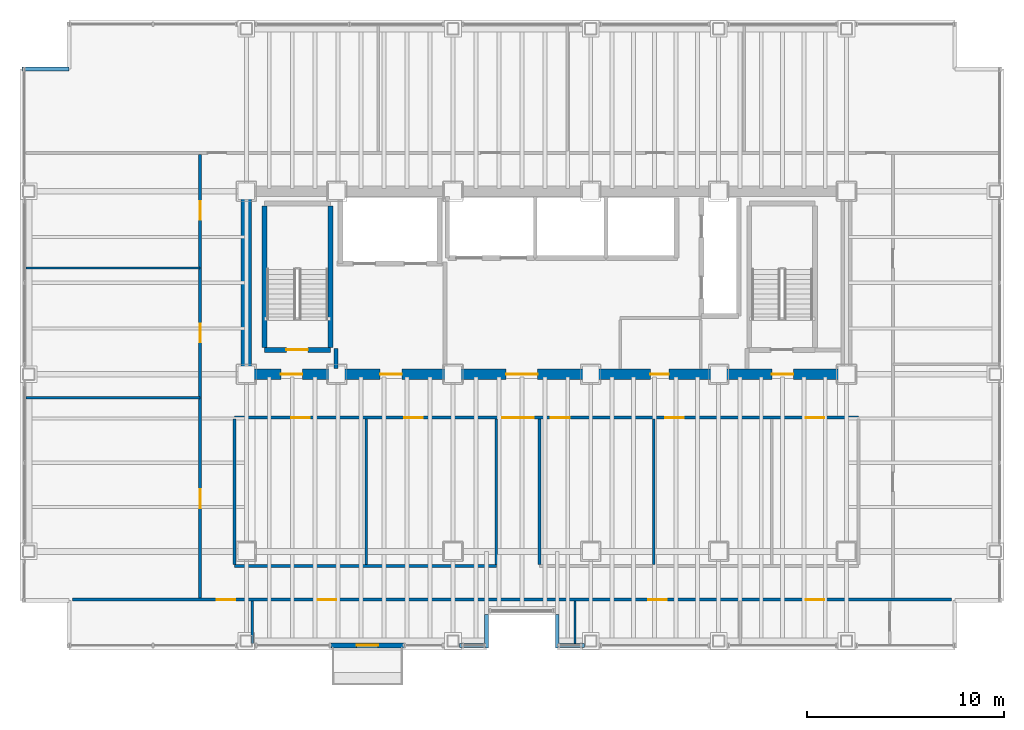
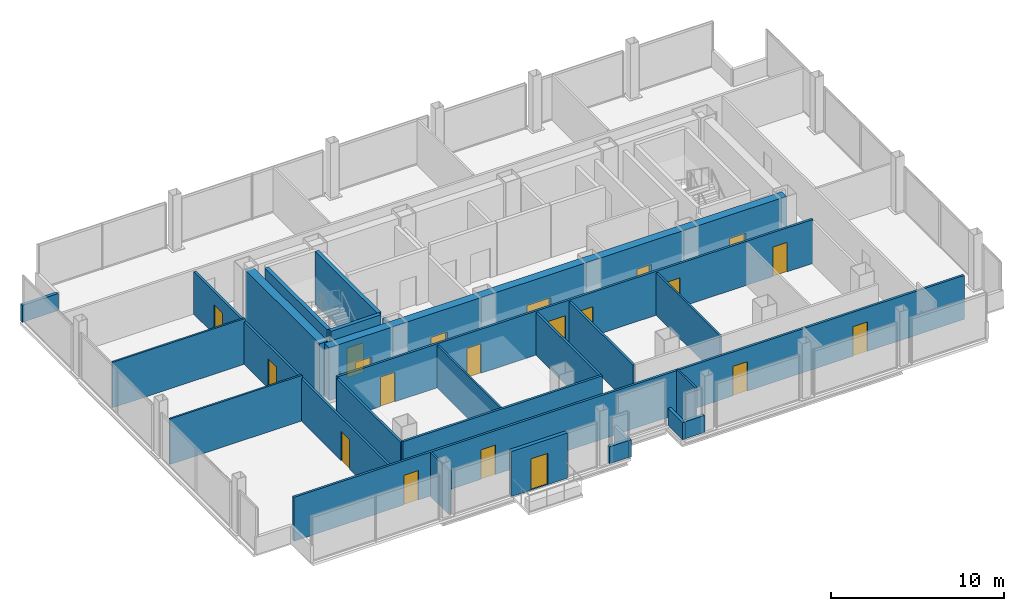
# One storey, part 18 of 21: 25 walls, 20 doors, 20 openings.
"""IFC4 building model written with IfcOpenShell, lengths in metres."""

from ifc_helpers import new_model, si_unit, direction, frame, frame_2d, origin, place, context, subcontext, project, spatial, rectangle, extrude, material, layer, layer_set, type_object, element, fill, save


model = new_model("IFC4")

# Units and contexts
model_context = context("Model", 3, precision=1e-05, world=origin(), true_north=direction((0.0, 1.0)))
body_context = subcontext(model_context, "Body", "Model", "MODEL_VIEW")
ifc_project = project(units=[si_unit("LENGTHUNIT", "METRE"), si_unit("AREAUNIT", "SQUARE_METRE"), si_unit("VOLUMEUNIT", "CUBIC_METRE"), si_unit("PLANEANGLEUNIT", "RADIAN"), si_unit("MASSUNIT", "GRAM", prefix="KILO")], contexts=[model_context])

# Site, building, storey
site_placement = place(None, origin())
site = spatial("IfcSite", under=ifc_project, at=site_placement, CompositionType="ELEMENT")
building_placement = place(site_placement, origin())
building = spatial("IfcBuilding", under=site, at=building_placement, Name="Noeulbin Bourse Tower", CompositionType="ELEMENT")
storey_placement = place(building_placement, frame((0.0, 0.0, 42.10009765625)))
storey = spatial("IfcBuildingStorey", under=building, at=storey_placement, Name="L10", CompositionType="ELEMENT", Elevation=42.10009765625)

# Wall, openings, doors
ifc_material_1 = material(Name="Concrete C60/75", Category="concrete")
ifc_layer_1 = layer(ifc_material_1, 0.550048828125)
ifc_layer_set_1 = layer_set([ifc_layer_1], Name="Concrete C60/75")
wall_type_1 = type_object("IfcWallType", Name="WAL-CORE-550", PredefinedType="SHEAR", material=ifc_layer_set_1)
wall_1_placement = place(storey_placement, frame((13.5, 29.0, 0.0), z_axis=(0.0, 0.0, 1.0), x_axis=(1.0, 0.0, 0.0)))
wall_1 = element("IfcWall", 1, at=wall_1_placement, inside=storey, type_object=wall_type_1, Name="Rear Core South Shear Wall L10", PredefinedType="SHEAR", context=body_context, shape_type="SweptSolid", body=[
    extrude(rectangle(XDim=30.5, YDim=0.550048828125, at=frame_2d((15.25, 0.0))), origin(), (0.0, 0.0, 1.0), 3.719970703125),
])
opening_1_placement = place(wall_1_placement, frame((1.75, 0.0, 0.0)))
opening_1 = element("IfcOpeningElement", 2, at=opening_1_placement, cuts=wall_1, Name="Opening FD-11", PredefinedType="OPENING", context=body_context, shape_type="SweptSolid", body=[
    extrude(rectangle(XDim=1.10009765625, YDim=2.080078125, at=frame_2d((0.550048828125, 1.0400390625))), frame((0.0, 0.284912109375, 0.0), z_axis=(0.0, -1.0, 0.0), x_axis=(1.0, 0.0, 0.0)), (0.0, 0.0, 1.0), 0.570068359375),
])
opening_2_placement = place(wall_1_placement, frame((26.699951171875, 0.0, 0.0)))
opening_2 = element("IfcOpeningElement", 3, at=opening_2_placement, cuts=wall_1, Name="Opening FD-11", PredefinedType="OPENING", context=body_context, shape_type="SweptSolid", body=[
    extrude(rectangle(XDim=1.10009765625, YDim=2.080078125, at=frame_2d((0.550048828125, 1.0400390625))), frame((0.0, 0.284912109375, 0.0), z_axis=(0.0, -1.0, 0.0), x_axis=(1.0, 0.0, 0.0)), (0.0, 0.0, 1.0), 0.570068359375),
])
opening_3_placement = place(wall_1_placement, frame((6.800048828125, 0.0, 0.0)))
opening_3 = element("IfcOpeningElement", 4, at=opening_3_placement, cuts=wall_1, Name="Opening FD-11", PredefinedType="OPENING", context=body_context, shape_type="SweptSolid", body=[
    extrude(rectangle(XDim=1.10009765625, YDim=2.080078125, at=frame_2d((0.550048828125, 1.0400390625))), frame((0.0, 0.284912109375, 0.0), z_axis=(0.0, -1.0, 0.0), x_axis=(1.0, 0.0, 0.0)), (0.0, 0.0, 1.0), 0.570068359375),
])
opening_4_placement = place(wall_1_placement, frame((13.199951171875, 0.0, 0.0)))
opening_4 = element("IfcOpeningElement", 5, at=opening_4_placement, cuts=wall_1, Name="Opening ID-16", PredefinedType="OPENING", context=body_context, shape_type="SweptSolid", body=[
    extrude(rectangle(XDim=1.60009765625, YDim=2.080078125, at=frame_2d((0.800048828125, 1.0400390625))), frame((0.0, 0.284912109375, 0.0), z_axis=(0.0, -1.0, 0.0), x_axis=(1.0, 0.0, 0.0)), (0.0, 0.0, 1.0), 0.570068359375),
])
opening_5_placement = place(wall_1_placement, frame((20.52490234375, 0.0, 0.0)))
opening_5 = element("IfcOpeningElement", 6, at=opening_5_placement, cuts=wall_1, Name="Opening ID-09", PredefinedType="OPENING", context=body_context, shape_type="SweptSolid", body=[
    extrude(rectangle(XDim=0.949951171875, YDim=2.080078125, at=frame_2d((0.47509765625, 1.0400390625))), frame((0.0, 0.284912109375, 0.0), z_axis=(0.0, -1.0, 0.0), x_axis=(1.0, 0.0, 0.0)), (0.0, 0.0, 1.0), 0.570068359375),
])
ifc_material_2 = material(Name="Acoustic Glazed Aluminium", Category="aluminium")
door_type_1 = type_object("IfcDoorType", Name="DR-DBL-1600", OperationType="DOUBLE_DOOR_SINGLE_SWING", PredefinedType="DOOR", material=ifc_material_2)
door_1_placement = place(opening_4_placement, origin())
door_1 = element("IfcDoor", 7, at=door_1_placement, inside=storey, type_object=door_type_1, Name="Passenger Lift Lobby Portal L10", OperationType="DOUBLE_DOOR_SINGLE_SWING", OverallHeight=2.080078125, OverallWidth=1.60009765625, PredefinedType="DOOR", context=body_context, shape_type="SweptSolid", body=[
    extrude(rectangle(XDim=1.60009765625, YDim=2.080078125, at=frame_2d((0.800048828125, 1.0400390625))), frame((0.0, 0.02490234375, 0.0), z_axis=(0.0, -1.0, 0.0), x_axis=(1.0, 0.0, 0.0)), (0.0, 0.0, 1.0), 0.050048828125),
])
fill(opening_4, door_1)
ifc_material_3 = material(Name="Fire-Rated Insulated Steel", Category="steel")
door_type_2 = type_object("IfcDoorType", Name="DR-FD60-1100", OperationType="SINGLE_SWING_LEFT", PredefinedType="DOOR", material=ifc_material_3)
door_2_placement = place(opening_1_placement, origin())
door_2 = element("IfcDoor", 8, at=door_2_placement, inside=storey, type_object=door_type_2, Name="West Stair Lobby Door L10", OperationType="SINGLE_SWING_LEFT", OverallHeight=2.080078125, OverallWidth=1.10009765625, PredefinedType="DOOR", context=body_context, shape_type="SweptSolid", body=[
    extrude(rectangle(XDim=1.10009765625, YDim=2.080078125, at=frame_2d((0.550048828125, 1.0400390625))), frame((0.0, 0.02490234375, 0.0), z_axis=(0.0, -1.0, 0.0), x_axis=(1.0, 0.0, 0.0)), (0.0, 0.0, 1.0), 0.050048828125),
])
fill(opening_1, door_2)
door_3_placement = place(opening_2_placement, origin())
door_3 = element("IfcDoor", 9, at=door_3_placement, inside=storey, type_object=door_type_2, Name="East Stair Lobby Door L10", OperationType="SINGLE_SWING_RIGHT", OverallHeight=2.080078125, OverallWidth=1.10009765625, PredefinedType="DOOR", context=body_context, shape_type="SweptSolid", body=[
    extrude(rectangle(XDim=1.10009765625, YDim=2.080078125, at=frame_2d((0.550048828125, 1.0400390625))), frame((0.0, 0.02490234375, 0.0), z_axis=(0.0, -1.0, 0.0), x_axis=(1.0, 0.0, 0.0)), (0.0, 0.0, 1.0), 0.050048828125),
])
fill(opening_2, door_3)
door_4_placement = place(opening_3_placement, origin())
door_4 = element("IfcDoor", 10, at=door_4_placement, inside=storey, type_object=door_type_2, Name="Firefighting Lobby Door L10", OperationType="SINGLE_SWING_LEFT", OverallHeight=2.080078125, OverallWidth=1.10009765625, PredefinedType="DOOR", context=body_context, shape_type="SweptSolid", body=[
    extrude(rectangle(XDim=1.10009765625, YDim=2.080078125, at=frame_2d((0.550048828125, 1.0400390625))), frame((0.0, 0.02490234375, 0.0), z_axis=(0.0, -1.0, 0.0), x_axis=(1.0, 0.0, 0.0)), (0.0, 0.0, 1.0), 0.050048828125),
])
fill(opening_3, door_4)
ifc_material_4 = material(Name="Acoustic Solid-Core Timber", Category="wood")
door_type_3 = type_object("IfcDoorType", Name="DR-SINGLE-950", OperationType="SINGLE_SWING_LEFT", PredefinedType="DOOR", material=ifc_material_4)
door_5_placement = place(opening_5_placement, origin())
door_5 = element("IfcDoor", 11, at=door_5_placement, inside=storey, type_object=door_type_3, Name="Interior Door L10-05", OperationType="SINGLE_SWING_LEFT", OverallHeight=2.080078125, OverallWidth=0.949951171875, PredefinedType="DOOR", context=body_context, shape_type="SweptSolid", body=[
    extrude(rectangle(XDim=0.949951171875, YDim=2.080078125, at=frame_2d((0.47509765625, 1.0400390625))), frame((0.0, 0.02490234375, 0.0), z_axis=(0.0, -1.0, 0.0), x_axis=(1.0, 0.0, 0.0)), (0.0, 0.0, 1.0), 0.050048828125),
])
fill(opening_5, door_5)

# Wall
wall_2_placement = place(storey_placement, frame((13.5, 29.35009765625, 0.0), z_axis=(0.0, 0.0, 1.0), x_axis=(0.0, 1.0, 0.0)))
element("IfcWall", 12, at=wall_2_placement, inside=storey, type_object=wall_type_1, Name="Rear Core West Shear Wall L10", PredefinedType="SHEAR", context=body_context, shape_type="SweptSolid", body=[
    extrude(rectangle(XDim=8.599853515625, YDim=0.550048828125, at=frame_2d((4.2998046875, 0.0))), origin(), (0.0, 0.0, 1.0), 3.719970703125),
])

# Wall, opening, door
ifc_material_5 = material(Name="Precast Concrete C40/50", Category="concrete")
ifc_layer_2 = layer(ifc_material_5, 0.25)
ifc_layer_set_2 = layer_set([ifc_layer_2], Name="Precast Concrete C40/50")
wall_type_2 = type_object("IfcWallType", Name="WAL-EXT-250", PredefinedType="STANDARD", material=ifc_layer_set_2)
wall_3_placement = place(storey_placement, frame((17.800048828125, 15.219970703125, 0.0), z_axis=(0.0, 0.0, 1.0), x_axis=(1.0, 0.0, 0.0)))
wall_3 = element("IfcWall", 13, at=wall_3_placement, inside=storey, type_object=wall_type_2, Name="Balcony Threshold Wall L10", PredefinedType="STANDARD", context=body_context, shape_type="SweptSolid", body=[
    extrude(rectangle(XDim=3.699951171875, YDim=0.25, at=frame_2d((1.85009765625, 0.0))), origin(), (0.0, 0.0, 1.0), 3.179931640625),
])
opening_6_placement = place(wall_3_placement, frame((1.300048828125, 0.0, 0.0)))
opening_6 = element("IfcOpeningElement", 14, at=opening_6_placement, cuts=wall_3, Name="Opening BD-11", PredefinedType="OPENING", context=body_context, shape_type="SweptSolid", body=[
    extrude(rectangle(XDim=1.10009765625, YDim=2.199951171875, at=frame_2d((0.550048828125, 1.10009765625))), frame((0.0, 0.135009765625, 0.0), z_axis=(0.0, -1.0, 0.0), x_axis=(1.0, 0.0, 0.0)), (0.0, 0.0, 1.0), 0.27001953125),
])
ifc_material_6 = material(Name="Thermally Broken Aluminium Framed Glass", Category="aluminium")
door_type_4 = type_object("IfcDoorType", Name="DR-BAL-1100", OperationType="SINGLE_SWING_LEFT", PredefinedType="DOOR", material=ifc_material_6)
door_6_placement = place(opening_6_placement, origin())
door_6 = element("IfcDoor", 15, at=door_6_placement, inside=storey, type_object=door_type_4, Name="Tree-Balcony Access Door BD-L10", OperationType="SINGLE_SWING_RIGHT", OverallHeight=2.199951171875, OverallWidth=1.10009765625, PredefinedType="DOOR", context=body_context, shape_type="SweptSolid", body=[
    extrude(rectangle(XDim=1.10009765625, YDim=2.199951171875, at=frame_2d((0.550048828125, 1.10009765625))), frame((0.0, 0.02490234375, 0.0), z_axis=(0.0, -1.0, 0.0), x_axis=(1.0, 0.0, 0.0)), (0.0, 0.0, 1.0), 0.050048828125),
])
fill(opening_6, door_6)

# Walls
ifc_material_7 = material(Name="Concrete C40/50", Category="concrete")
ifc_layer_3 = layer(ifc_material_7, 0.199951171875)
ifc_layer_set_3 = layer_set([ifc_layer_3], Name="Concrete C40/50")
wall_type_3 = type_object("IfcWallType", Name="WAL-FIRE-200", PredefinedType="STANDARD", material=ifc_layer_set_3)
wall_4_placement = place(storey_placement, frame((18.050048828125, 29.284912109375, 0.0), z_axis=(0.0, 0.0, 1.0), x_axis=(0.0, 1.0, 0.0)))
element("IfcWall", 16, at=wall_4_placement, inside=storey, type_object=wall_type_3, Name="Interior Partition Wall L10-11", PredefinedType="STANDARD", context=body_context, shape_type="SweptSolid", body=[
    extrude(rectangle(XDim=1.01513671875, YDim=0.199951171875, at=frame_2d((0.507568359375, 0.0))), origin(), (0.0, 0.0, 1.0), 3.2998046875),
])
ifc_layer_4 = layer(ifc_material_7, 0.199951171875)
ifc_layer_set_4 = layer_set([ifc_layer_4], Name="Concrete C40/50")
wall_type_4 = type_object("IfcWallType", Name="WAL-PAR-200", PredefinedType="PARAPET", material=ifc_layer_set_4)
for number, where, z_axis, x_axis, name in (
    (17, (24.320068359375, 15.219970703125, 0.0), (0.0, 0.0, 1.0), (1.0, 0.0, 0.0), "Perimeter Pier Spandrel Parapet L10-S1"),
    (18, (29.35009765625, 15.219970703125, 0.0), (0.0, 0.0, 1.0), (1.0, 0.0, 0.0), "Perimeter Pier Spandrel Parapet L10-S2"),
):
    element("IfcWall", number, at=place(storey_placement, frame(where, z_axis=z_axis, x_axis=x_axis)), inside=storey, type_object=wall_type_4, Name=name, PredefinedType="PARAPET", context=body_context, shape_type="SweptSolid", body=[
        extrude(rectangle(XDim=1.329833984375, YDim=0.199951171875, at=frame_2d((0.6650390625, 0.0))), origin(), (0.0, 0.0, 1.0), 1.199951171875),
    ])
wall_5_placement = place(storey_placement, frame((2.10009765625, 44.5, 0.0), z_axis=(0.0, 0.0, 1.0), x_axis=(1.0, 0.0, 0.0)))
element("IfcWall", 19, at=wall_5_placement, inside=storey, type_object=wall_type_4, Name="Corner Notch Parapet L10-NW1", PredefinedType="PARAPET", context=body_context, shape_type="SweptSolid", body=[
    extrude(rectangle(XDim=2.39990234375, YDim=0.199951171875, at=frame_2d((1.199951171875, 0.0))), origin(), (0.0, 0.0, 1.0), 1.199951171875),
])
for number, where, z_axis, x_axis, name in (
    (20, (25.699951171875, 15.10009765625, 0.0), (0.0, 0.0, 1.0), (0.0, 1.0, 0.0), "Sky-Garden Recess Parapet L10-W"),
    (21, (29.300048828125, 16.800048828125, 0.0), (0.0, 0.0, 1.0), (0.0, -1.0, 0.0), "Sky-Garden Recess Parapet L10-E"),
):
    element("IfcWall", number, at=place(storey_placement, frame(where, z_axis=z_axis, x_axis=x_axis)), inside=storey, type_object=wall_type_4, Name=name, PredefinedType="PARAPET", context=body_context, shape_type="SweptSolid", body=[
        extrude(rectangle(XDim=1.699951171875, YDim=0.199951171875, at=frame_2d((0.85009765625, 0.0))), origin(), (0.0, 0.0, 1.0), 1.199951171875),
    ])
ifc_material_8 = material(Name="Steel Stud Gypsum Partition", Category="steel")
ifc_layer_5 = layer(ifc_material_8, 0.1201171875)
ifc_layer_set_5 = layer_set([ifc_layer_5], Name="Steel Stud Gypsum Partition")
wall_type_5 = type_object("IfcWallType", Name="WAL-PRT-120", PredefinedType="PARTITIONING", material=ifc_layer_set_5)
for number, where, z_axis, x_axis, name in (
    (22, (2.31005859375, 27.800048828125, 0.0), (0.0, 0.0, 1.0), (1.0, 0.0, 0.0), "Interior Partition Wall L10-07"),
    (23, (2.31005859375, 34.39990234375, 0.0), (0.0, 0.0, 1.0), (1.0, 0.0, 0.0), "Interior Partition Wall L10-08"),
):
    element("IfcWall", number, at=place(storey_placement, frame(where, z_axis=z_axis, x_axis=x_axis)), inside=storey, type_object=wall_type_5, Name=name, PredefinedType="PARTITIONING", context=body_context, shape_type="SweptSolid", body=[
        extrude(rectangle(XDim=8.83984375, YDim=0.1201171875, at=frame_2d((4.419921875, 0.0))), origin(), (0.0, 0.0, 1.0), 3.2119140625),
    ])
wall_6_placement = place(storey_placement, frame((13.800048828125, 15.31005859375, 0.0), z_axis=(0.0, 0.0, 1.0), x_axis=(0.0, 1.0, 0.0)))
element("IfcWall", 24, at=wall_6_placement, inside=storey, type_object=wall_type_5, Name="Interior Partition Wall L10-22", PredefinedType="PARTITIONING", context=body_context, shape_type="SweptSolid", body=[
    extrude(rectangle(XDim=2.155029296875, YDim=0.1201171875, at=frame_2d((1.07763671875, 0.0))), origin(), (0.0, 0.0, 1.0), 3.099853515625),
])
wall_7_placement = place(storey_placement, frame((30.199951171875, 15.31005859375, 0.0), z_axis=(0.0, 0.0, 1.0), x_axis=(0.0, 1.0, 0.0)))
element("IfcWall", 25, at=wall_7_placement, inside=storey, type_object=wall_type_5, Name="Interior Partition Wall L10-23", PredefinedType="PARTITIONING", context=body_context, shape_type="SweptSolid", body=[
    extrude(rectangle(XDim=2.155029296875, YDim=0.1201171875, at=frame_2d((1.07763671875, 0.0))), origin(), (0.0, 0.0, 1.0), 3.2119140625),
])
for number, where, z_axis, x_axis, name in (
    (26, (19.60009765625, 19.3349609375, 0.0), (0.0, 0.0, 1.0), (0.0, 1.0, 0.0), "Interior Partition Wall L10-26"),
    (27, (34.199951171875, 19.3349609375, 0.0), (0.0, 0.0, 1.0), (0.0, 1.0, 0.0), "Interior Partition Wall L10-27"),
):
    element("IfcWall", number, at=place(storey_placement, frame(where, z_axis=z_axis, x_axis=x_axis)), inside=storey, type_object=wall_type_5, Name=name, PredefinedType="PARTITIONING", context=body_context, shape_type="SweptSolid", body=[
        extrude(rectangle(XDim=7.380126953125, YDim=0.1201171875, at=frame_2d((3.68994140625, 0.0))), origin(), (0.0, 0.0, 1.0), 3.0),
    ])

# Wall, openings, doors
ifc_material_9 = material(Name="Steel Stud Acoustic Gypsum Board", Category="steel")
ifc_layer_6 = layer(ifc_material_9, 0.14990234375)
ifc_layer_set_6 = layer_set([ifc_layer_6], Name="Steel Stud Acoustic Gypsum Board")
wall_type_6 = type_object("IfcWallType", Name="WAL-PRT-150", PredefinedType="PARTITIONING", material=ifc_layer_set_6)
wall_8_placement = place(storey_placement, frame((12.89990234375, 26.800048828125, 0.0), z_axis=(0.0, 0.0, 1.0), x_axis=(1.0, 0.0, 0.0)))
wall_8 = element("IfcWall", 28, at=wall_8_placement, inside=storey, type_object=wall_type_6, Name="Interior Partition Wall L10-03", PredefinedType="PARTITIONING", context=body_context, shape_type="SweptSolid", body=[
    extrude(rectangle(XDim=31.7001953125, YDim=0.14990234375, at=frame_2d((15.85009765625, 0.0))), origin(), (0.0, 0.0, 1.0), 3.099853515625),
])
opening_7_placement = place(wall_8_placement, frame((13.60009765625, 0.0, 0.0)))
opening_7 = element("IfcOpeningElement", 29, at=opening_7_placement, cuts=wall_8, Name="Opening ID-16", PredefinedType="OPENING", context=body_context, shape_type="SweptSolid", body=[
    extrude(rectangle(XDim=1.60009765625, YDim=2.080078125, at=frame_2d((0.800048828125, 1.0400390625))), frame((0.0, 0.0849609375, 0.0), z_axis=(0.0, -1.0, 0.0), x_axis=(1.0, 0.0, 0.0)), (0.0, 0.0, 1.0), 0.169921875),
])
opening_8_placement = place(wall_8_placement, frame((2.875, 0.0, 0.0)))
opening_8 = element("IfcOpeningElement", 30, at=opening_8_placement, cuts=wall_8, Name="Opening ID-09", PredefinedType="OPENING", context=body_context, shape_type="SweptSolid", body=[
    extrude(rectangle(XDim=0.949951171875, YDim=2.080078125, at=frame_2d((0.47509765625, 1.0400390625))), frame((0.0, 0.0849609375, 0.0), z_axis=(0.0, -1.0, 0.0), x_axis=(1.0, 0.0, 0.0)), (0.0, 0.0, 1.0), 0.169921875),
])
opening_9_placement = place(wall_8_placement, frame((8.625, 0.0, 0.0)))
opening_9 = element("IfcOpeningElement", 31, at=opening_9_placement, cuts=wall_8, Name="Opening ID-09", PredefinedType="OPENING", context=body_context, shape_type="SweptSolid", body=[
    extrude(rectangle(XDim=0.949951171875, YDim=2.080078125, at=frame_2d((0.47509765625, 1.0400390625))), frame((0.0, 0.0849609375, 0.0), z_axis=(0.0, -1.0, 0.0), x_axis=(1.0, 0.0, 0.0)), (0.0, 0.0, 1.0), 0.169921875),
])
opening_10_placement = place(wall_8_placement, frame((16.074951171875, 0.0, 0.0)))
opening_10 = element("IfcOpeningElement", 32, at=opening_10_placement, cuts=wall_8, Name="Opening ID-09", PredefinedType="OPENING", context=body_context, shape_type="SweptSolid", body=[
    extrude(rectangle(XDim=0.949951171875, YDim=2.080078125, at=frame_2d((0.47509765625, 1.0400390625))), frame((0.0, 0.0849609375, 0.0), z_axis=(0.0, -1.0, 0.0), x_axis=(1.0, 0.0, 0.0)), (0.0, 0.0, 1.0), 0.169921875),
])
opening_11_placement = place(wall_8_placement, frame((21.875, 0.0, 0.0)))
opening_11 = element("IfcOpeningElement", 33, at=opening_11_placement, cuts=wall_8, Name="Opening ID-09", PredefinedType="OPENING", context=body_context, shape_type="SweptSolid", body=[
    extrude(rectangle(XDim=0.949951171875, YDim=2.080078125, at=frame_2d((0.47509765625, 1.0400390625))), frame((0.0, 0.0849609375, 0.0), z_axis=(0.0, -1.0, 0.0), x_axis=(1.0, 0.0, 0.0)), (0.0, 0.0, 1.0), 0.169921875),
])
opening_12_placement = place(wall_8_placement, frame((29.02490234375, 0.0, 0.0)))
opening_12 = element("IfcOpeningElement", 34, at=opening_12_placement, cuts=wall_8, Name="Opening ID-09", PredefinedType="OPENING", context=body_context, shape_type="SweptSolid", body=[
    extrude(rectangle(XDim=0.949951171875, YDim=2.080078125, at=frame_2d((0.47509765625, 1.0400390625))), frame((0.0, 0.0849609375, 0.0), z_axis=(0.0, -1.0, 0.0), x_axis=(1.0, 0.0, 0.0)), (0.0, 0.0, 1.0), 0.169921875),
])
door_7_placement = place(opening_7_placement, origin())
door_7 = element("IfcDoor", 35, at=door_7_placement, inside=storey, type_object=door_type_1, Name="Interior Door L10-06", OperationType="DOUBLE_DOOR_SINGLE_SWING", OverallHeight=2.080078125, OverallWidth=1.60009765625, PredefinedType="DOOR", context=body_context, shape_type="SweptSolid", body=[
    extrude(rectangle(XDim=1.60009765625, YDim=2.080078125, at=frame_2d((0.800048828125, 1.0400390625))), frame((0.0, 0.02490234375, 0.0), z_axis=(0.0, -1.0, 0.0), x_axis=(1.0, 0.0, 0.0)), (0.0, 0.0, 1.0), 0.050048828125),
])
fill(opening_7, door_7)
door_8_placement = place(opening_8_placement, origin())
door_8 = element("IfcDoor", 36, at=door_8_placement, inside=storey, type_object=door_type_3, Name="Interior Door L10-12", OperationType="SINGLE_SWING_RIGHT", OverallHeight=2.080078125, OverallWidth=0.949951171875, PredefinedType="DOOR", context=body_context, shape_type="SweptSolid", body=[
    extrude(rectangle(XDim=0.949951171875, YDim=2.080078125, at=frame_2d((0.47509765625, 1.0400390625))), frame((0.0, 0.02490234375, 0.0), z_axis=(0.0, -1.0, 0.0), x_axis=(1.0, 0.0, 0.0)), (0.0, 0.0, 1.0), 0.050048828125),
])
fill(opening_8, door_8)
door_9_placement = place(opening_9_placement, origin())
door_9 = element("IfcDoor", 37, at=door_9_placement, inside=storey, type_object=door_type_3, Name="Interior Door L10-13", OperationType="SINGLE_SWING_LEFT", OverallHeight=2.080078125, OverallWidth=0.949951171875, PredefinedType="DOOR", context=body_context, shape_type="SweptSolid", body=[
    extrude(rectangle(XDim=0.949951171875, YDim=2.080078125, at=frame_2d((0.47509765625, 1.0400390625))), frame((0.0, 0.02490234375, 0.0), z_axis=(0.0, -1.0, 0.0), x_axis=(1.0, 0.0, 0.0)), (0.0, 0.0, 1.0), 0.050048828125),
])
fill(opening_9, door_9)
door_10_placement = place(opening_10_placement, origin())
door_10 = element("IfcDoor", 38, at=door_10_placement, inside=storey, type_object=door_type_3, Name="Interior Door L10-14", OperationType="SINGLE_SWING_RIGHT", OverallHeight=2.080078125, OverallWidth=0.949951171875, PredefinedType="DOOR", context=body_context, shape_type="SweptSolid", body=[
    extrude(rectangle(XDim=0.949951171875, YDim=2.080078125, at=frame_2d((0.47509765625, 1.0400390625))), frame((0.0, 0.02490234375, 0.0), z_axis=(0.0, -1.0, 0.0), x_axis=(1.0, 0.0, 0.0)), (0.0, 0.0, 1.0), 0.050048828125),
])
fill(opening_10, door_10)
door_11_placement = place(opening_11_placement, origin())
door_11 = element("IfcDoor", 39, at=door_11_placement, inside=storey, type_object=door_type_3, Name="Interior Door L10-15", OperationType="SINGLE_SWING_LEFT", OverallHeight=2.080078125, OverallWidth=0.949951171875, PredefinedType="DOOR", context=body_context, shape_type="SweptSolid", body=[
    extrude(rectangle(XDim=0.949951171875, YDim=2.080078125, at=frame_2d((0.47509765625, 1.0400390625))), frame((0.0, 0.02490234375, 0.0), z_axis=(0.0, -1.0, 0.0), x_axis=(1.0, 0.0, 0.0)), (0.0, 0.0, 1.0), 0.050048828125),
])
fill(opening_11, door_11)
door_12_placement = place(opening_12_placement, origin())
door_12 = element("IfcDoor", 40, at=door_12_placement, inside=storey, type_object=door_type_3, Name="Interior Door L10-16", OperationType="SINGLE_SWING_RIGHT", OverallHeight=2.080078125, OverallWidth=0.949951171875, PredefinedType="DOOR", context=body_context, shape_type="SweptSolid", body=[
    extrude(rectangle(XDim=0.949951171875, YDim=2.080078125, at=frame_2d((0.47509765625, 1.0400390625))), frame((0.0, 0.02490234375, 0.0), z_axis=(0.0, -1.0, 0.0), x_axis=(1.0, 0.0, 0.0)), (0.0, 0.0, 1.0), 0.050048828125),
])
fill(opening_12, door_12)

wall_9_placement = place(storey_placement, frame((4.659912109375, 17.550048828125, 0.0), z_axis=(0.0, 0.0, 1.0), x_axis=(1.0, 0.0, 0.0)))
wall_9 = element("IfcWall", 41, at=wall_9_placement, inside=storey, type_object=wall_type_6, Name="Interior Partition Wall L10-04", PredefinedType="PARTITIONING", context=body_context, shape_type="SweptSolid", body=[
    extrude(rectangle(XDim=44.68017578125, YDim=0.14990234375, at=frame_2d((22.340087890625, 0.0))), origin(), (0.0, 0.0, 1.0), 3.099853515625),
])
opening_13_placement = place(wall_9_placement, frame((7.340087890625, 0.0, 0.0)))
opening_13 = element("IfcOpeningElement", 42, at=opening_13_placement, cuts=wall_9, Name="Opening ID-09", PredefinedType="OPENING", context=body_context, shape_type="SweptSolid", body=[
    extrude(rectangle(XDim=0.949951171875, YDim=2.080078125, at=frame_2d((0.47509765625, 1.0400390625))), frame((0.0, 0.0849609375, 0.0), z_axis=(0.0, -1.0, 0.0), x_axis=(1.0, 0.0, 0.0)), (0.0, 0.0, 1.0), 0.169921875),
])
opening_14_placement = place(wall_9_placement, frame((12.465087890625, 0.0, 0.0)))
opening_14 = element("IfcOpeningElement", 43, at=opening_14_placement, cuts=wall_9, Name="Opening ID-09", PredefinedType="OPENING", context=body_context, shape_type="SweptSolid", body=[
    extrude(rectangle(XDim=0.949951171875, YDim=2.080078125, at=frame_2d((0.47509765625, 1.0400390625))), frame((0.0, 0.0849609375, 0.0), z_axis=(0.0, -1.0, 0.0), x_axis=(1.0, 0.0, 0.0)), (0.0, 0.0, 1.0), 0.169921875),
])
opening_15_placement = place(wall_9_placement, frame((29.264892578125, 0.0, 0.0)))
opening_15 = element("IfcOpeningElement", 44, at=opening_15_placement, cuts=wall_9, Name="Opening ID-09", PredefinedType="OPENING", context=body_context, shape_type="SweptSolid", body=[
    extrude(rectangle(XDim=0.949951171875, YDim=2.080078125, at=frame_2d((0.47509765625, 1.0400390625))), frame((0.0, 0.0849609375, 0.0), z_axis=(0.0, -1.0, 0.0), x_axis=(1.0, 0.0, 0.0)), (0.0, 0.0, 1.0), 0.169921875),
])
opening_16_placement = place(wall_9_placement, frame((37.264892578125, 0.0, 0.0)))
opening_16 = element("IfcOpeningElement", 45, at=opening_16_placement, cuts=wall_9, Name="Opening ID-09", PredefinedType="OPENING", context=body_context, shape_type="SweptSolid", body=[
    extrude(rectangle(XDim=0.949951171875, YDim=2.080078125, at=frame_2d((0.47509765625, 1.0400390625))), frame((0.0, 0.0849609375, 0.0), z_axis=(0.0, -1.0, 0.0), x_axis=(1.0, 0.0, 0.0)), (0.0, 0.0, 1.0), 0.169921875),
])
door_13_placement = place(opening_13_placement, origin())
door_13 = element("IfcDoor", 46, at=door_13_placement, inside=storey, type_object=door_type_3, Name="Interior Door L10-07", OperationType="SINGLE_SWING_LEFT", OverallHeight=2.080078125, OverallWidth=0.949951171875, PredefinedType="DOOR", context=body_context, shape_type="SweptSolid", body=[
    extrude(rectangle(XDim=0.949951171875, YDim=2.080078125, at=frame_2d((0.47509765625, 1.0400390625))), frame((0.0, 0.02490234375, 0.0), z_axis=(0.0, -1.0, 0.0), x_axis=(1.0, 0.0, 0.0)), (0.0, 0.0, 1.0), 0.050048828125),
])
fill(opening_13, door_13)
door_14_placement = place(opening_14_placement, origin())
door_14 = element("IfcDoor", 47, at=door_14_placement, inside=storey, type_object=door_type_3, Name="Interior Door L10-08", OperationType="SINGLE_SWING_RIGHT", OverallHeight=2.080078125, OverallWidth=0.949951171875, PredefinedType="DOOR", context=body_context, shape_type="SweptSolid", body=[
    extrude(rectangle(XDim=0.949951171875, YDim=2.080078125, at=frame_2d((0.47509765625, 1.0400390625))), frame((0.0, 0.02490234375, 0.0), z_axis=(0.0, -1.0, 0.0), x_axis=(1.0, 0.0, 0.0)), (0.0, 0.0, 1.0), 0.050048828125),
])
fill(opening_14, door_14)
door_15_placement = place(opening_15_placement, origin())
door_15 = element("IfcDoor", 48, at=door_15_placement, inside=storey, type_object=door_type_3, Name="Interior Door L10-09", OperationType="SINGLE_SWING_LEFT", OverallHeight=2.080078125, OverallWidth=0.949951171875, PredefinedType="DOOR", context=body_context, shape_type="SweptSolid", body=[
    extrude(rectangle(XDim=0.949951171875, YDim=2.080078125, at=frame_2d((0.47509765625, 1.0400390625))), frame((0.0, 0.02490234375, 0.0), z_axis=(0.0, -1.0, 0.0), x_axis=(1.0, 0.0, 0.0)), (0.0, 0.0, 1.0), 0.050048828125),
])
fill(opening_15, door_15)
door_16_placement = place(opening_16_placement, origin())
door_16 = element("IfcDoor", 49, at=door_16_placement, inside=storey, type_object=door_type_3, Name="Interior Door L10-10", OperationType="SINGLE_SWING_RIGHT", OverallHeight=2.080078125, OverallWidth=0.949951171875, PredefinedType="DOOR", context=body_context, shape_type="SweptSolid", body=[
    extrude(rectangle(XDim=0.949951171875, YDim=2.080078125, at=frame_2d((0.47509765625, 1.0400390625))), frame((0.0, 0.02490234375, 0.0), z_axis=(0.0, -1.0, 0.0), x_axis=(1.0, 0.0, 0.0)), (0.0, 0.0, 1.0), 0.050048828125),
])
fill(opening_16, door_16)

# Walls
wall_10_placement = place(storey_placement, frame((12.89990234375, 19.25, 0.0), z_axis=(0.0, 0.0, 1.0), x_axis=(1.0, 0.0, 0.0)))
element("IfcWall", 50, at=wall_10_placement, inside=storey, type_object=wall_type_6, Name="Interior Partition Wall L10-05", PredefinedType="PARTITIONING", context=body_context, shape_type="SweptSolid", body=[
    extrude(rectangle(XDim=13.300048828125, YDim=0.14990234375, at=frame_2d((6.64990234375, 0.0))), origin(), (0.0, 0.0, 1.0), 3.099853515625),
])
for number, where, z_axis, x_axis, name in (
    (51, (26.199951171875, 19.3349609375, 0.0), (0.0, 0.0, 1.0), (0.0, 1.0, 0.0), "Interior Partition Wall L10-16"),
    (52, (28.39990234375, 19.3349609375, 0.0), (0.0, 0.0, 1.0), (0.0, 1.0, 0.0), "Interior Partition Wall L10-17"),
):
    element("IfcWall", number, at=place(storey_placement, frame(where, z_axis=z_axis, x_axis=x_axis)), inside=storey, type_object=wall_type_6, Name=name, PredefinedType="PARTITIONING", context=body_context, shape_type="SweptSolid", body=[
        extrude(rectangle(XDim=7.380126953125, YDim=0.14990234375, at=frame_2d((3.68994140625, 0.0))), origin(), (0.0, 0.0, 1.0), 3.0),
    ])

# Wall, openings, doors
wall_11_placement = place(storey_placement, frame((11.14990234375, 17.635009765625, 0.0), z_axis=(0.0, 0.0, 1.0), x_axis=(0.0, 1.0, 0.0)))
wall_11 = element("IfcWall", 53, at=wall_11_placement, inside=storey, type_object=wall_type_6, Name="Interior Partition Wall L10-18", PredefinedType="PARTITIONING", context=body_context, shape_type="SweptSolid", body=[
    extrude(rectangle(XDim=22.530029296875, YDim=0.14990234375, at=frame_2d((11.26513671875, 0.0))), origin(), (0.0, 0.0, 1.0), 3.0),
])
opening_17_placement = place(wall_11_placement, frame((4.56494140625, 0.0, 0.0)))
opening_17 = element("IfcOpeningElement", 54, at=opening_17_placement, cuts=wall_11, Name="Opening ID-09", PredefinedType="OPENING", context=body_context, shape_type="SweptSolid", body=[
    extrude(rectangle(XDim=0.949951171875, YDim=2.080078125, at=frame_2d((0.47509765625, 1.0400390625))), frame((0.0, 0.0849609375, 0.0), z_axis=(0.0, -1.0, 0.0), x_axis=(1.0, 0.0, 0.0)), (0.0, 0.0, 1.0), 0.169921875),
])
opening_18_placement = place(wall_11_placement, frame((12.989990234375, 0.0, 0.0)))
opening_18 = element("IfcOpeningElement", 55, at=opening_18_placement, cuts=wall_11, Name="Opening ID-09", PredefinedType="OPENING", context=body_context, shape_type="SweptSolid", body=[
    extrude(rectangle(XDim=0.949951171875, YDim=2.080078125, at=frame_2d((0.47509765625, 1.0400390625))), frame((0.0, 0.0849609375, 0.0), z_axis=(0.0, -1.0, 0.0), x_axis=(1.0, 0.0, 0.0)), (0.0, 0.0, 1.0), 0.169921875),
])
opening_19_placement = place(wall_11_placement, frame((19.215087890625, 0.0, 0.0)))
opening_19 = element("IfcOpeningElement", 56, at=opening_19_placement, cuts=wall_11, Name="Opening ID-09", PredefinedType="OPENING", context=body_context, shape_type="SweptSolid", body=[
    extrude(rectangle(XDim=0.949951171875, YDim=2.080078125, at=frame_2d((0.47509765625, 1.0400390625))), frame((0.0, 0.0849609375, 0.0), z_axis=(0.0, -1.0, 0.0), x_axis=(1.0, 0.0, 0.0)), (0.0, 0.0, 1.0), 0.169921875),
])
door_17_placement = place(opening_17_placement, origin())
door_17 = element("IfcDoor", 57, at=door_17_placement, inside=storey, type_object=door_type_3, Name="Interior Door L10-17", OperationType="SINGLE_SWING_LEFT", OverallHeight=2.080078125, OverallWidth=0.949951171875, PredefinedType="DOOR", context=body_context, shape_type="SweptSolid", body=[
    extrude(rectangle(XDim=0.949951171875, YDim=2.080078125, at=frame_2d((0.47509765625, 1.0400390625))), frame((0.0, 0.02490234375, 0.0), z_axis=(0.0, -1.0, 0.0), x_axis=(1.0, 0.0, 0.0)), (0.0, 0.0, 1.0), 0.050048828125),
])
fill(opening_17, door_17)
door_18_placement = place(opening_18_placement, origin())
door_18 = element("IfcDoor", 58, at=door_18_placement, inside=storey, type_object=door_type_3, Name="Interior Door L10-18", OperationType="SINGLE_SWING_RIGHT", OverallHeight=2.080078125, OverallWidth=0.949951171875, PredefinedType="DOOR", context=body_context, shape_type="SweptSolid", body=[
    extrude(rectangle(XDim=0.949951171875, YDim=2.080078125, at=frame_2d((0.47509765625, 1.0400390625))), frame((0.0, 0.02490234375, 0.0), z_axis=(0.0, -1.0, 0.0), x_axis=(1.0, 0.0, 0.0)), (0.0, 0.0, 1.0), 0.050048828125),
])
fill(opening_18, door_18)
door_19_placement = place(opening_19_placement, origin())
door_19 = element("IfcDoor", 59, at=door_19_placement, inside=storey, type_object=door_type_3, Name="Interior Door L10-19", OperationType="SINGLE_SWING_LEFT", OverallHeight=2.080078125, OverallWidth=0.949951171875, PredefinedType="DOOR", context=body_context, shape_type="SweptSolid", body=[
    extrude(rectangle(XDim=0.949951171875, YDim=2.080078125, at=frame_2d((0.47509765625, 1.0400390625))), frame((0.0, 0.02490234375, 0.0), z_axis=(0.0, -1.0, 0.0), x_axis=(1.0, 0.0, 0.0)), (0.0, 0.0, 1.0), 0.050048828125),
])
fill(opening_19, door_19)

# Wall
wall_12_placement = place(storey_placement, frame((12.89990234375, 19.3349609375, 0.0), z_axis=(0.0, 0.0, 1.0), x_axis=(0.0, 1.0, 0.0)))
element("IfcWall", 60, at=wall_12_placement, inside=storey, type_object=wall_type_6, Name="Interior Partition Wall L10-19", PredefinedType="PARTITIONING", context=body_context, shape_type="SweptSolid", body=[
    extrude(rectangle(XDim=7.380126953125, YDim=0.14990234375, at=frame_2d((3.68994140625, 0.0))), origin(), (0.0, 0.0, 1.0), 3.0),
])

# Wall, opening, door
ifc_layer_7 = layer(ifc_material_7, 0.25)
ifc_layer_set_7 = layer_set([ifc_layer_7], Name="Concrete C40/50")
wall_type_7 = type_object("IfcWallType", Name="WAL-SHFT-250", PredefinedType="STANDARD", material=ifc_layer_set_7)
wall_13_placement = place(storey_placement, frame((14.429931640625, 30.235107421875, 0.0), z_axis=(0.0, 0.0, 1.0), x_axis=(1.0, 0.0, 0.0)))
wall_13 = element("IfcWall", 61, at=wall_13_placement, inside=storey, type_object=wall_type_7, Name="Stair ST-1 South Shaft Wall L10", PredefinedType="STANDARD", context=body_context, shape_type="SweptSolid", body=[
    extrude(rectangle(XDim=3.340087890625, YDim=0.25, at=frame_2d((1.669921875, 0.0))), origin(), (0.0, 0.0, 1.0), 3.719970703125),
])
opening_20_placement = place(wall_13_placement, frame((1.10009765625, 0.0, 0.0)))
opening_20 = element("IfcOpeningElement", 62, at=opening_20_placement, cuts=wall_13, Name="Opening FD-11", PredefinedType="OPENING", context=body_context, shape_type="SweptSolid", body=[
    extrude(rectangle(XDim=1.10009765625, YDim=2.080078125, at=frame_2d((0.550048828125, 1.0400390625))), frame((0.0, 0.135009765625, 0.0), z_axis=(0.0, -1.0, 0.0), x_axis=(1.0, 0.0, 0.0)), (0.0, 0.0, 1.0), 0.27001953125),
])
door_20_placement = place(opening_20_placement, origin())
door_20 = element("IfcDoor", 63, at=door_20_placement, inside=storey, type_object=door_type_2, Name="Protected Stair Entry Door ST1-L10", OperationType="SINGLE_SWING_LEFT", OverallHeight=2.080078125, OverallWidth=1.10009765625, PredefinedType="DOOR", context=body_context, shape_type="SweptSolid", body=[
    extrude(rectangle(XDim=1.10009765625, YDim=2.080078125, at=frame_2d((0.550048828125, 1.0400390625))), frame((0.0, 0.02490234375, 0.0), z_axis=(0.0, -1.0, 0.0), x_axis=(1.0, 0.0, 0.0)), (0.0, 0.0, 1.0), 0.050048828125),
])
fill(opening_20, door_20)

# Walls
for number, where, z_axis, x_axis, name in (
    (64, (14.425048828125, 30.360107421875, 0.0), (0.0, 0.0, 1.0), (0.0, 1.0, 0.0), "Stair ST-1 West Shaft Wall L10"),
    (65, (17.77490234375, 30.360107421875, 0.0), (0.0, 0.0, 1.0), (0.0, 1.0, 0.0), "Stair ST-1 East Shaft Wall L10"),
):
    element("IfcWall", number, at=place(storey_placement, frame(where, z_axis=z_axis, x_axis=x_axis)), inside=storey, type_object=wall_type_7, Name=name, PredefinedType="STANDARD", context=body_context, shape_type="SweptSolid", body=[
        extrude(rectangle(XDim=7.183837890625, YDim=0.25, at=frame_2d((3.591796875, 0.0))), origin(), (0.0, 0.0, 1.0), 3.719970703125),
    ])

save(model, "model.ifc")
